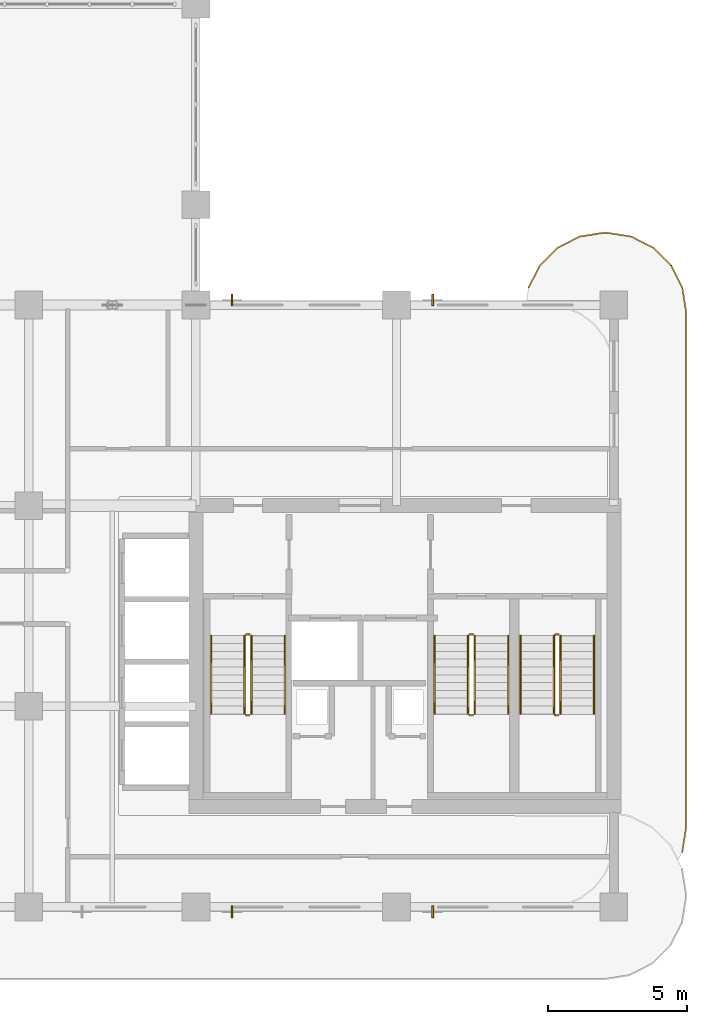
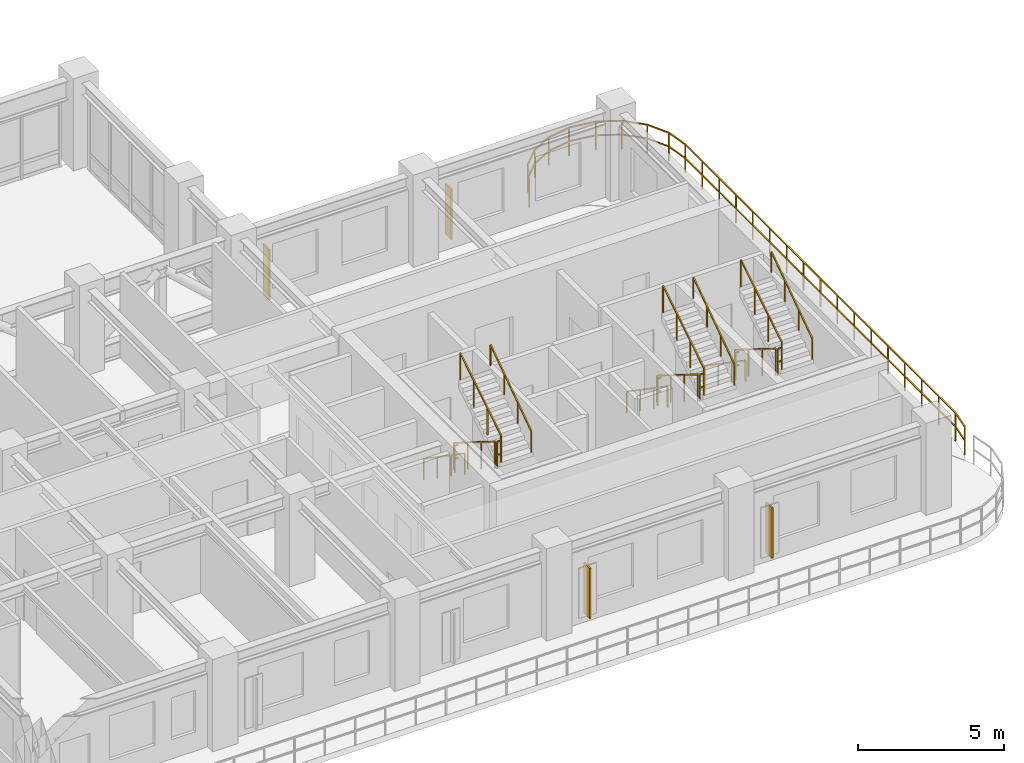
# One storey, part 16 of 17: 19 railings, 4 shading devices.
"""IFC4 building model written with IfcOpenShell, lengths in metres."""

from ifc_helpers import new_model, si_unit, derived_unit, direction, frame, origin, origin_2d, place, context, subcontext, project, spatial, rectangle, extrude, source, transform, mapped, material, layer, layer_set, type_object, type_shapes, element, save


model = new_model("IFC4")

# Units and contexts
model_context = context("Model", 3, precision=1e-05, world=origin(), true_north=direction((0.0, 1.0)))
body_context = subcontext(model_context, "Body", "Model", "MODEL_VIEW")
ifc_project = project(units=[si_unit("LENGTHUNIT", "METRE"), si_unit("AREAUNIT", "SQUARE_METRE"), si_unit("VOLUMEUNIT", "CUBIC_METRE"), si_unit("PLANEANGLEUNIT", "RADIAN"), si_unit("MASSUNIT", "GRAM", prefix="KILO"), si_unit("THERMODYNAMICTEMPERATUREUNIT", "KELVIN"), si_unit("POWERUNIT", "WATT"), derived_unit("THERMALTRANSMITTANCEUNIT", [(si_unit("POWERUNIT", "WATT"), 1), (si_unit("AREAUNIT", "SQUARE_METRE"), -1), (si_unit("THERMODYNAMICTEMPERATUREUNIT", "KELVIN"), -1)])], contexts=[model_context])

# Site, building, storey
site_placement = place(None, origin())
site = spatial("IfcSite", under=ifc_project, at=site_placement, CompositionType="ELEMENT")
building_placement = place(site_placement, origin())
building = spatial("IfcBuilding", under=site, at=building_placement, Name="Zahravan Archway Hotel and Residences", CompositionType="ELEMENT")
storey_placement = place(building_placement, frame((0.0, 0.0, 192.64990234375)))
storey = spatial("IfcBuildingStorey", under=building, at=storey_placement, Name="L48", CompositionType="ELEMENT", Elevation=192.64990234375)

# Railings
ifc_material_1 = material(Name="Bronze & Laminated Glass Balustrade", Category="glass")
railing_type_1 = type_object("IfcRailingType", Name="RL-BAL-1200", PredefinedType="BALUSTRADE", material=ifc_material_1)
railing_1_placement = place(storey_placement, frame((46.739501953125, 22.230712890625, 0.0)))
element("IfcRailing", 1, at=railing_1_placement, inside=storey, type_object=railing_type_1, Name="L48 Balustrade RL-SLB-BAL-L48-EA-1", PredefinedType="BALUSTRADE", context=body_context, shape_type="SweptSolid", body=[
    extrude(rectangle(XDim=0.048095703125, YDim=0.048095703125, at=origin_2d()), frame((0.0, 0.0, 1.17578125), z_axis=(0.453991409995, 0.891006060389, 0.0), x_axis=(-0.891006060389, 0.453991409995, 0.0)), (0.0, 0.0, 1.0), 0.8916015625),
    extrude(rectangle(XDim=0.048095703125, YDim=0.048095703125, at=origin_2d()), frame((0.0, 0.0, 0.60009765625), z_axis=(0.453991409995, 0.891006060389, 0.0), x_axis=(-0.891006060389, 0.453991409995, 0.0)), (0.0, 0.0, 1.0), 0.8916015625),
    extrude(rectangle(XDim=0.048095703125, YDim=0.048095703125, at=origin_2d()), frame((0.40478515625, 0.79443359375, 1.17578125), z_axis=(0.707106781187, 0.707106781187, 0.0), x_axis=(-0.707106781187, 0.707106781187, 0.0)), (0.0, 0.0, 1.0), 0.891845703125),
    extrude(rectangle(XDim=0.048095703125, YDim=0.048095703125, at=origin_2d()), frame((0.40478515625, 0.79443359375, 0.60009765625), z_axis=(0.707106781187, 0.707106781187, 0.0), x_axis=(-0.707106781187, 0.707106781187, 0.0)), (0.0, 0.0, 1.0), 0.891845703125),
    extrude(rectangle(XDim=0.048095703125, YDim=0.048095703125, at=origin_2d()), frame((1.035400390625, 1.425048828125, 1.17578125), z_axis=(0.891006060389, 0.453991409995, 0.0), x_axis=(-0.453991409995, 0.891006060389, 0.0)), (0.0, 0.0, 1.0), 0.8916015625),
    extrude(rectangle(XDim=0.048095703125, YDim=0.048095703125, at=origin_2d()), frame((1.035400390625, 1.425048828125, 0.60009765625), z_axis=(0.891006060389, 0.453991409995, 0.0), x_axis=(-0.453991409995, 0.891006060389, 0.0)), (0.0, 0.0, 1.0), 0.8916015625),
    extrude(rectangle(XDim=0.048095703125, YDim=0.048095703125, at=origin_2d()), frame((1.829833984375, 1.829833984375, 1.17578125), z_axis=(0.987700720307, 0.156356282588, 0.0), x_axis=(-0.156356282588, 0.987700720307, 0.0)), (0.0, 0.0, 1.0), 0.8916015625),
    extrude(rectangle(XDim=0.048095703125, YDim=0.048095703125, at=origin_2d()), frame((1.829833984375, 1.829833984375, 0.60009765625), z_axis=(0.987700720307, 0.156356282588, 0.0), x_axis=(-0.156356282588, 0.987700720307, 0.0)), (0.0, 0.0, 1.0), 0.8916015625),
    extrude(rectangle(XDim=0.048095703125, YDim=0.048095703125, at=origin_2d()), frame((2.71044921875, 1.96923828125, 1.17578125), z_axis=(1.0, 0.0, 0.0), x_axis=(0.0, 1.0, 0.0)), (0.0, 0.0, 1.0), 0.10009765625),
    extrude(rectangle(XDim=0.048095703125, YDim=0.048095703125, at=origin_2d()), frame((2.71044921875, 1.96923828125, 0.60009765625), z_axis=(1.0, 0.0, 0.0), x_axis=(0.0, 1.0, 0.0)), (0.0, 0.0, 1.0), 0.10009765625),
    extrude(rectangle(XDim=0.048095703125, YDim=0.048095703125, at=origin_2d()), frame((2.810546875, 1.96923828125, 1.17578125), z_axis=(0.987700720307, -0.156356282588, 0.0), x_axis=(0.156356282588, 0.987700720307, 0.0)), (0.0, 0.0, 1.0), 0.8916015625),
    extrude(rectangle(XDim=0.048095703125, YDim=0.048095703125, at=origin_2d()), frame((2.810546875, 1.96923828125, 0.60009765625), z_axis=(0.987700720307, -0.156356282588, 0.0), x_axis=(0.156356282588, 0.987700720307, 0.0)), (0.0, 0.0, 1.0), 0.8916015625),
    extrude(rectangle(XDim=0.048095703125, YDim=0.048095703125, at=origin_2d()), frame((3.691162109375, 1.829833984375, 1.17578125), z_axis=(0.891006060389, -0.453991409995, 0.0), x_axis=(0.453991409995, 0.891006060389, 0.0)), (0.0, 0.0, 1.0), 0.8916015625),
    extrude(rectangle(XDim=0.048095703125, YDim=0.048095703125, at=origin_2d()), frame((3.691162109375, 1.829833984375, 0.60009765625), z_axis=(0.891006060389, -0.453991409995, 0.0), x_axis=(0.453991409995, 0.891006060389, 0.0)), (0.0, 0.0, 1.0), 0.8916015625),
    extrude(rectangle(XDim=0.048095703125, YDim=0.048095703125, at=origin_2d()), frame((4.485595703125, 1.425048828125, 1.17578125), z_axis=(0.707106781187, -0.707106781187, 0.0), x_axis=(0.707106781187, 0.707106781187, 0.0)), (0.0, 0.0, 1.0), 0.891845703125),
    extrude(rectangle(XDim=0.048095703125, YDim=0.048095703125, at=origin_2d()), frame((4.485595703125, 1.425048828125, 0.60009765625), z_axis=(0.707106781187, -0.707106781187, 0.0), x_axis=(0.707106781187, 0.707106781187, 0.0)), (0.0, 0.0, 1.0), 0.891845703125),
    extrude(rectangle(XDim=0.048095703125, YDim=0.048095703125, at=origin_2d()), frame((5.1162109375, 0.79443359375, 1.17578125), z_axis=(0.453991409995, -0.891006060389, 0.0), x_axis=(0.891006060389, 0.453991409995, 0.0)), (0.0, 0.0, 1.0), 0.8916015625),
    extrude(rectangle(XDim=0.048095703125, YDim=0.048095703125, at=origin_2d()), frame((5.1162109375, 0.79443359375, 0.60009765625), z_axis=(0.453991409995, -0.891006060389, 0.0), x_axis=(0.891006060389, 0.453991409995, 0.0)), (0.0, 0.0, 1.0), 0.8916015625),
    extrude(rectangle(XDim=0.048095703125, YDim=0.048095703125, at=origin_2d()), frame((5.52099609375, 0.0, 1.17578125), z_axis=(0.156356282588, -0.987700720307, 0.0), x_axis=(0.987700720307, 0.156356282588, 0.0)), (0.0, 0.0, 1.0), 0.8916015625),
    extrude(rectangle(XDim=0.048095703125, YDim=0.048095703125, at=origin_2d()), frame((5.52099609375, 0.0, 0.60009765625), z_axis=(0.156356282588, -0.987700720307, 0.0), x_axis=(0.987700720307, 0.156356282588, 0.0)), (0.0, 0.0, 1.0), 0.8916015625),
    extrude(rectangle(XDim=0.048095703125, YDim=0.048095703125, at=origin_2d()), frame((5.660400390625, -0.880615234375, 1.17578125), z_axis=(0.0, -1.0, 0.0), x_axis=(1.0, 0.0, 0.0)), (0.0, 0.0, 1.0), 18.5),
    extrude(rectangle(XDim=0.048095703125, YDim=0.048095703125, at=origin_2d()), frame((5.660400390625, -0.880615234375, 0.60009765625), z_axis=(0.0, -1.0, 0.0), x_axis=(1.0, 0.0, 0.0)), (0.0, 0.0, 1.0), 18.5),
    extrude(rectangle(XDim=0.048095703125, YDim=0.048095703125, at=origin_2d()), frame((5.660400390625, -19.380615234375, 1.17578125), z_axis=(-0.156314005608, -0.987707411965, 0.0), x_axis=(0.987707411965, -0.156314005608, 0.0)), (0.0, 0.0, 1.0), 0.891845703125),
    extrude(rectangle(XDim=0.048095703125, YDim=0.048095703125, at=origin_2d()), frame((5.660400390625, -19.380615234375, 0.60009765625), z_axis=(-0.156314005608, -0.987707411965, 0.0), x_axis=(0.987707411965, -0.156314005608, 0.0)), (0.0, 0.0, 1.0), 0.891845703125),
    extrude(rectangle(XDim=0.0419921875, YDim=0.0419921875, at=origin_2d()), origin(), (0.0, 0.0, 1.0), 1.15185546875),
    extrude(rectangle(XDim=0.0419921875, YDim=0.0419921875, at=origin_2d()), frame((0.40478515625, 0.79443359375, 0.0)), (0.0, 0.0, 1.0), 1.15185546875),
    extrude(rectangle(XDim=0.0419921875, YDim=0.0419921875, at=origin_2d()), frame((1.035400390625, 1.425048828125, 0.0)), (0.0, 0.0, 1.0), 1.15185546875),
    extrude(rectangle(XDim=0.0419921875, YDim=0.0419921875, at=origin_2d()), frame((1.829833984375, 1.829833984375, 0.0)), (0.0, 0.0, 1.0), 1.15185546875),
    extrude(rectangle(XDim=0.0419921875, YDim=0.0419921875, at=origin_2d()), frame((2.71044921875, 1.96923828125, 0.0)), (0.0, 0.0, 1.0), 1.15185546875),
    extrude(rectangle(XDim=0.0419921875, YDim=0.0419921875, at=origin_2d()), frame((3.691162109375, 1.829833984375, 0.0)), (0.0, 0.0, 1.0), 1.15185546875),
    extrude(rectangle(XDim=0.0419921875, YDim=0.0419921875, at=origin_2d()), frame((4.485595703125, 1.425048828125, 0.0)), (0.0, 0.0, 1.0), 1.15185546875),
    extrude(rectangle(XDim=0.0419921875, YDim=0.0419921875, at=origin_2d()), frame((5.1162109375, 0.79443359375, 0.0)), (0.0, 0.0, 1.0), 1.15185546875),
    extrude(rectangle(XDim=0.0419921875, YDim=0.0419921875, at=origin_2d()), frame((5.52099609375, 0.0, 0.0)), (0.0, 0.0, 1.0), 1.15185546875),
    extrude(rectangle(XDim=0.0419921875, YDim=0.0419921875, at=origin_2d()), frame((5.660400390625, -0.880615234375, 0.0)), (0.0, 0.0, 1.0), 1.15185546875),
    extrude(rectangle(XDim=0.0419921875, YDim=0.0419921875, at=origin_2d()), frame((5.660400390625, -2.036865234375, 0.0)), (0.0, 0.0, 1.0), 1.15185546875),
    extrude(rectangle(XDim=0.0419921875, YDim=0.0419921875, at=origin_2d()), frame((5.660400390625, -3.193115234375, 0.0)), (0.0, 0.0, 1.0), 1.15185546875),
    extrude(rectangle(XDim=0.0419921875, YDim=0.0419921875, at=origin_2d()), frame((5.660400390625, -4.349365234375, 0.0)), (0.0, 0.0, 1.0), 1.15185546875),
    extrude(rectangle(XDim=0.0419921875, YDim=0.0419921875, at=origin_2d()), frame((5.660400390625, -5.505615234375, 0.0)), (0.0, 0.0, 1.0), 1.15185546875),
    extrude(rectangle(XDim=0.0419921875, YDim=0.0419921875, at=origin_2d()), frame((5.660400390625, -6.661865234375, 0.0)), (0.0, 0.0, 1.0), 1.15185546875),
    extrude(rectangle(XDim=0.0419921875, YDim=0.0419921875, at=origin_2d()), frame((5.660400390625, -7.818115234375, 0.0)), (0.0, 0.0, 1.0), 1.15185546875),
    extrude(rectangle(XDim=0.0419921875, YDim=0.0419921875, at=origin_2d()), frame((5.660400390625, -8.974365234375, 0.0)), (0.0, 0.0, 1.0), 1.15185546875),
    extrude(rectangle(XDim=0.0419921875, YDim=0.0419921875, at=origin_2d()), frame((5.660400390625, -10.130615234375, 0.0)), (0.0, 0.0, 1.0), 1.15185546875),
    extrude(rectangle(XDim=0.0419921875, YDim=0.0419921875, at=origin_2d()), frame((5.660400390625, -11.286865234375, 0.0)), (0.0, 0.0, 1.0), 1.15185546875),
    extrude(rectangle(XDim=0.0419921875, YDim=0.0419921875, at=origin_2d()), frame((5.660400390625, -12.443115234375, 0.0)), (0.0, 0.0, 1.0), 1.15185546875),
    extrude(rectangle(XDim=0.0419921875, YDim=0.0419921875, at=origin_2d()), frame((5.660400390625, -13.599365234375, 0.0)), (0.0, 0.0, 1.0), 1.15185546875),
    extrude(rectangle(XDim=0.0419921875, YDim=0.0419921875, at=origin_2d()), frame((5.660400390625, -14.755615234375, 0.0)), (0.0, 0.0, 1.0), 1.15185546875),
    extrude(rectangle(XDim=0.0419921875, YDim=0.0419921875, at=origin_2d()), frame((5.660400390625, -15.911865234375, 0.0)), (0.0, 0.0, 1.0), 1.15185546875),
    extrude(rectangle(XDim=0.0419921875, YDim=0.0419921875, at=origin_2d()), frame((5.660400390625, -17.068115234375, 0.0)), (0.0, 0.0, 1.0), 1.15185546875),
    extrude(rectangle(XDim=0.0419921875, YDim=0.0419921875, at=origin_2d()), frame((5.660400390625, -18.224365234375, 0.0)), (0.0, 0.0, 1.0), 1.15185546875),
    extrude(rectangle(XDim=0.0419921875, YDim=0.0419921875, at=origin_2d()), frame((5.660400390625, -19.380615234375, 0.0)), (0.0, 0.0, 1.0), 1.15185546875),
    extrude(rectangle(XDim=0.0419921875, YDim=0.0419921875, at=origin_2d()), frame((5.52099609375, -20.261474609375, 0.0)), (0.0, 0.0, 1.0), 1.15185546875),
])
ifc_material_2 = material(Name="Painted Tubular Steel", Category="steel")
railing_type_2 = type_object("IfcRailingType", Name="RL-STG-1150", PredefinedType="GUARDRAIL", material=ifc_material_2)
railing_2_placement = place(storey_placement, frame((36.550048828125, 9.72998046875, 0.175048828125)))
element("IfcRailing", 2, at=railing_2_placement, inside=storey, type_object=railing_type_2, Name="L48 ST-A1 stair guard 1", PredefinedType="GUARDRAIL", context=body_context, shape_type="SweptSolid", body=[
    extrude(rectangle(XDim=0.048095703125, YDim=0.048095703125, at=origin_2d()), frame((0.0, 0.0, 1.1259765625), z_axis=(0.0, -0.848002457836, 0.529992293815), x_axis=(1.0, 0.0, 0.0)), (0.0, 0.0, 1.0), 3.302001953125),
    extrude(rectangle(XDim=0.0419921875, YDim=0.0419921875, at=origin_2d()), origin(), (0.0, 0.0, 1.0), 1.101806640625),
    extrude(rectangle(XDim=0.0419921875, YDim=0.0419921875, at=origin_2d()), frame((0.0, -0.933349609375, 0.583251953125)), (0.0, 0.0, 1.0), 1.101806640625),
    extrude(rectangle(XDim=0.0419921875, YDim=0.0419921875, at=origin_2d()), frame((0.0, -1.86669921875, 1.166748046875)), (0.0, 0.0, 1.0), 1.101806640625),
    extrude(rectangle(XDim=0.0419921875, YDim=0.0419921875, at=origin_2d()), frame((0.0, -2.800048828125, 1.75)), (0.0, 0.0, 1.0), 1.101806640625),
])
railing_3_placement = place(storey_placement, frame((36.60009765625, 6.8798828125, 1.925048828125)))
element("IfcRailing", 3, at=railing_3_placement, inside=storey, type_object=railing_type_2, Name="L48 ST-A1 stair guard 2", PredefinedType="GUARDRAIL", context=body_context, shape_type="SweptSolid", body=[
    extrude(rectangle(XDim=0.048095703125, YDim=0.048095703125, at=origin_2d()), frame((0.0, 0.0, 1.1259765625), z_axis=(1.0, 0.0, 0.0), x_axis=(0.0, 1.0, 0.0)), (0.0, 0.0, 1.0), 0.139892578125),
    extrude(rectangle(XDim=0.048095703125, YDim=0.048095703125, at=origin_2d()), frame((0.0, 0.0, 0.574951171875), z_axis=(1.0, 0.0, 0.0), x_axis=(0.0, 1.0, 0.0)), (0.0, 0.0, 1.0), 0.139892578125),
    extrude(rectangle(XDim=0.0419921875, YDim=0.0419921875, at=origin_2d()), origin(), (0.0, 0.0, 1.0), 1.101806640625),
])
railing_4_placement = place(storey_placement, frame((36.7900390625, 6.929931640625, 2.10009765625)))
element("IfcRailing", 4, at=railing_4_placement, inside=storey, type_object=railing_type_2, Name="L48 ST-A1 stair guard 3", PredefinedType="GUARDRAIL", context=body_context, shape_type="SweptSolid", body=[
    extrude(rectangle(XDim=0.048095703125, YDim=0.048095703125, at=origin_2d()), frame((0.0, 0.0, 1.1259765625), z_axis=(0.0, 0.848002457836, 0.529992293815), x_axis=(-1.0, 0.0, 0.0)), (0.0, 0.0, 1.0), 3.302001953125),
    extrude(rectangle(XDim=0.0419921875, YDim=0.0419921875, at=origin_2d()), origin(), (0.0, 0.0, 1.0), 1.101806640625),
    extrude(rectangle(XDim=0.0419921875, YDim=0.0419921875, at=origin_2d()), frame((0.0, 0.933349609375, 0.583251953125)), (0.0, 0.0, 1.0), 1.101806640625),
    extrude(rectangle(XDim=0.0419921875, YDim=0.0419921875, at=origin_2d()), frame((0.0, 1.86669921875, 1.166748046875)), (0.0, 0.0, 1.0), 1.101806640625),
    extrude(rectangle(XDim=0.0419921875, YDim=0.0419921875, at=origin_2d()), frame((0.0, 2.800048828125, 1.75)), (0.0, 0.0, 1.0), 1.101806640625),
])
railing_5_placement = place(storey_placement, frame((36.60009765625, 9.780029296875, 0.0)))
element("IfcRailing", 5, at=railing_5_placement, inside=storey, type_object=railing_type_2, Name="L48 ST-A1 stair guard 4", PredefinedType="GUARDRAIL", context=body_context, shape_type="SweptSolid", body=[
    extrude(rectangle(XDim=0.048095703125, YDim=0.048095703125, at=origin_2d()), frame((0.0, 0.0, 1.1259765625), z_axis=(1.0, 0.0, 0.0), x_axis=(0.0, 1.0, 0.0)), (0.0, 0.0, 1.0), 0.139892578125),
    extrude(rectangle(XDim=0.048095703125, YDim=0.048095703125, at=origin_2d()), frame((0.0, 0.0, 0.574951171875), z_axis=(1.0, 0.0, 0.0), x_axis=(0.0, 1.0, 0.0)), (0.0, 0.0, 1.0), 0.139892578125),
    extrude(rectangle(XDim=0.0419921875, YDim=0.0419921875, at=origin_2d()), origin(), (0.0, 0.0, 1.0), 1.101806640625),
])
railing_6_placement = place(storey_placement, frame((44.570068359375, 9.72998046875, 0.175048828125)))
element("IfcRailing", 6, at=railing_6_placement, inside=storey, type_object=railing_type_2, Name="L48 ST-A2 stair guard 1", PredefinedType="GUARDRAIL", context=body_context, shape_type="SweptSolid", body=[
    extrude(rectangle(XDim=0.048095703125, YDim=0.048095703125, at=origin_2d()), frame((0.0, 0.0, 1.1259765625), z_axis=(0.0, -0.848002457836, 0.529992293815), x_axis=(1.0, 0.0, 0.0)), (0.0, 0.0, 1.0), 3.302001953125),
    extrude(rectangle(XDim=0.0419921875, YDim=0.0419921875, at=origin_2d()), origin(), (0.0, 0.0, 1.0), 1.101806640625),
    extrude(rectangle(XDim=0.0419921875, YDim=0.0419921875, at=origin_2d()), frame((0.0, -0.933349609375, 0.583251953125)), (0.0, 0.0, 1.0), 1.101806640625),
    extrude(rectangle(XDim=0.0419921875, YDim=0.0419921875, at=origin_2d()), frame((0.0, -1.86669921875, 1.166748046875)), (0.0, 0.0, 1.0), 1.101806640625),
    extrude(rectangle(XDim=0.0419921875, YDim=0.0419921875, at=origin_2d()), frame((0.0, -2.800048828125, 1.75)), (0.0, 0.0, 1.0), 1.101806640625),
])
railing_7_placement = place(storey_placement, frame((44.6201171875, 6.8798828125, 1.925048828125)))
element("IfcRailing", 7, at=railing_7_placement, inside=storey, type_object=railing_type_2, Name="L48 ST-A2 stair guard 2", PredefinedType="GUARDRAIL", context=body_context, shape_type="SweptSolid", body=[
    extrude(rectangle(XDim=0.048095703125, YDim=0.048095703125, at=origin_2d()), frame((0.0, 0.0, 1.1259765625), z_axis=(1.0, 0.0, 0.0), x_axis=(0.0, 1.0, 0.0)), (0.0, 0.0, 1.0), 0.139892578125),
    extrude(rectangle(XDim=0.048095703125, YDim=0.048095703125, at=origin_2d()), frame((0.0, 0.0, 0.574951171875), z_axis=(1.0, 0.0, 0.0), x_axis=(0.0, 1.0, 0.0)), (0.0, 0.0, 1.0), 0.139892578125),
    extrude(rectangle(XDim=0.0419921875, YDim=0.0419921875, at=origin_2d()), origin(), (0.0, 0.0, 1.0), 1.101806640625),
])
railing_8_placement = place(storey_placement, frame((44.81005859375, 6.929931640625, 2.10009765625)))
element("IfcRailing", 8, at=railing_8_placement, inside=storey, type_object=railing_type_2, Name="L48 ST-A2 stair guard 3", PredefinedType="GUARDRAIL", context=body_context, shape_type="SweptSolid", body=[
    extrude(rectangle(XDim=0.048095703125, YDim=0.048095703125, at=origin_2d()), frame((0.0, 0.0, 1.1259765625), z_axis=(0.0, 0.848002457836, 0.529992293815), x_axis=(-1.0, 0.0, 0.0)), (0.0, 0.0, 1.0), 3.302001953125),
    extrude(rectangle(XDim=0.0419921875, YDim=0.0419921875, at=origin_2d()), origin(), (0.0, 0.0, 1.0), 1.101806640625),
    extrude(rectangle(XDim=0.0419921875, YDim=0.0419921875, at=origin_2d()), frame((0.0, 0.933349609375, 0.583251953125)), (0.0, 0.0, 1.0), 1.101806640625),
    extrude(rectangle(XDim=0.0419921875, YDim=0.0419921875, at=origin_2d()), frame((0.0, 1.86669921875, 1.166748046875)), (0.0, 0.0, 1.0), 1.101806640625),
    extrude(rectangle(XDim=0.0419921875, YDim=0.0419921875, at=origin_2d()), frame((0.0, 2.800048828125, 1.75)), (0.0, 0.0, 1.0), 1.101806640625),
])
railing_9_placement = place(storey_placement, frame((44.6201171875, 9.780029296875, 0.0)))
element("IfcRailing", 9, at=railing_9_placement, inside=storey, type_object=railing_type_2, Name="L48 ST-A2 stair guard 4", PredefinedType="GUARDRAIL", context=body_context, shape_type="SweptSolid", body=[
    extrude(rectangle(XDim=0.048095703125, YDim=0.048095703125, at=origin_2d()), frame((0.0, 0.0, 1.1259765625), z_axis=(1.0, 0.0, 0.0), x_axis=(0.0, 1.0, 0.0)), (0.0, 0.0, 1.0), 0.139892578125),
    extrude(rectangle(XDim=0.048095703125, YDim=0.048095703125, at=origin_2d()), frame((0.0, 0.0, 0.574951171875), z_axis=(1.0, 0.0, 0.0), x_axis=(0.0, 1.0, 0.0)), (0.0, 0.0, 1.0), 0.139892578125),
    extrude(rectangle(XDim=0.0419921875, YDim=0.0419921875, at=origin_2d()), origin(), (0.0, 0.0, 1.0), 1.101806640625),
])
railing_10_placement = place(storey_placement, frame((47.64990234375, 9.72998046875, 0.175048828125)))
element("IfcRailing", 10, at=railing_10_placement, inside=storey, type_object=railing_type_2, Name="L48 ST-A3 stair guard 1", PredefinedType="GUARDRAIL", context=body_context, shape_type="SweptSolid", body=[
    extrude(rectangle(XDim=0.048095703125, YDim=0.048095703125, at=origin_2d()), frame((0.0, 0.0, 1.1259765625), z_axis=(0.0, -0.848002457836, 0.529992293815), x_axis=(1.0, 0.0, 0.0)), (0.0, 0.0, 1.0), 3.302001953125),
    extrude(rectangle(XDim=0.0419921875, YDim=0.0419921875, at=origin_2d()), origin(), (0.0, 0.0, 1.0), 1.101806640625),
    extrude(rectangle(XDim=0.0419921875, YDim=0.0419921875, at=origin_2d()), frame((0.0, -0.933349609375, 0.583251953125)), (0.0, 0.0, 1.0), 1.101806640625),
    extrude(rectangle(XDim=0.0419921875, YDim=0.0419921875, at=origin_2d()), frame((0.0, -1.86669921875, 1.166748046875)), (0.0, 0.0, 1.0), 1.101806640625),
    extrude(rectangle(XDim=0.0419921875, YDim=0.0419921875, at=origin_2d()), frame((0.0, -2.800048828125, 1.75)), (0.0, 0.0, 1.0), 1.101806640625),
])
railing_11_placement = place(storey_placement, frame((47.699951171875, 6.8798828125, 1.925048828125)))
element("IfcRailing", 11, at=railing_11_placement, inside=storey, type_object=railing_type_2, Name="L48 ST-A3 stair guard 2", PredefinedType="GUARDRAIL", context=body_context, shape_type="SweptSolid", body=[
    extrude(rectangle(XDim=0.048095703125, YDim=0.048095703125, at=origin_2d()), frame((0.0, 0.0, 1.1259765625), z_axis=(1.0, 0.0, 0.0), x_axis=(0.0, 1.0, 0.0)), (0.0, 0.0, 1.0), 0.14013671875),
    extrude(rectangle(XDim=0.048095703125, YDim=0.048095703125, at=origin_2d()), frame((0.0, 0.0, 0.574951171875), z_axis=(1.0, 0.0, 0.0), x_axis=(0.0, 1.0, 0.0)), (0.0, 0.0, 1.0), 0.14013671875),
    extrude(rectangle(XDim=0.0419921875, YDim=0.0419921875, at=origin_2d()), origin(), (0.0, 0.0, 1.0), 1.101806640625),
])
railing_12_placement = place(storey_placement, frame((47.889892578125, 6.929931640625, 2.10009765625)))
element("IfcRailing", 12, at=railing_12_placement, inside=storey, type_object=railing_type_2, Name="L48 ST-A3 stair guard 3", PredefinedType="GUARDRAIL", context=body_context, shape_type="SweptSolid", body=[
    extrude(rectangle(XDim=0.048095703125, YDim=0.048095703125, at=origin_2d()), frame((0.0, 0.0, 1.1259765625), z_axis=(0.0, 0.848002457836, 0.529992293815), x_axis=(-1.0, 0.0, 0.0)), (0.0, 0.0, 1.0), 3.302001953125),
    extrude(rectangle(XDim=0.0419921875, YDim=0.0419921875, at=origin_2d()), origin(), (0.0, 0.0, 1.0), 1.101806640625),
    extrude(rectangle(XDim=0.0419921875, YDim=0.0419921875, at=origin_2d()), frame((0.0, 0.933349609375, 0.583251953125)), (0.0, 0.0, 1.0), 1.101806640625),
    extrude(rectangle(XDim=0.0419921875, YDim=0.0419921875, at=origin_2d()), frame((0.0, 1.86669921875, 1.166748046875)), (0.0, 0.0, 1.0), 1.101806640625),
    extrude(rectangle(XDim=0.0419921875, YDim=0.0419921875, at=origin_2d()), frame((0.0, 2.800048828125, 1.75)), (0.0, 0.0, 1.0), 1.101806640625),
])
railing_13_placement = place(storey_placement, frame((47.699951171875, 9.780029296875, 0.0)))
element("IfcRailing", 13, at=railing_13_placement, inside=storey, type_object=railing_type_2, Name="L48 ST-A3 stair guard 4", PredefinedType="GUARDRAIL", context=body_context, shape_type="SweptSolid", body=[
    extrude(rectangle(XDim=0.048095703125, YDim=0.048095703125, at=origin_2d()), frame((0.0, 0.0, 1.1259765625), z_axis=(1.0, 0.0, 0.0), x_axis=(0.0, 1.0, 0.0)), (0.0, 0.0, 1.0), 0.14013671875),
    extrude(rectangle(XDim=0.048095703125, YDim=0.048095703125, at=origin_2d()), frame((0.0, 0.0, 0.574951171875), z_axis=(1.0, 0.0, 0.0), x_axis=(0.0, 1.0, 0.0)), (0.0, 0.0, 1.0), 0.14013671875),
    extrude(rectangle(XDim=0.0419921875, YDim=0.0419921875, at=origin_2d()), origin(), (0.0, 0.0, 1.0), 1.101806640625),
])
ifc_material_3 = material(Name="Brushed Stainless Steel", Category="steel")
railing_type_3 = type_object("IfcRailingType", Name="RL-STH-900", PredefinedType="HANDRAIL", material=ifc_material_3)
railing_14_placement = place(storey_placement, frame((35.35009765625, 9.72998046875, 0.175048828125)))
element("IfcRailing", 14, at=railing_14_placement, inside=storey, type_object=railing_type_3, Name="L48 ST-A1 stair handrail 1", PredefinedType="HANDRAIL", context=body_context, shape_type="SweptSolid", body=[
    extrude(rectangle(XDim=0.048095703125, YDim=0.048095703125, at=origin_2d()), frame((0.0, 0.0, 0.8759765625), z_axis=(0.0, -0.824039827795, 0.566531872191), x_axis=(1.0, 0.0, 0.0)), (0.0, 0.0, 1.0), 3.39794921875),
    extrude(rectangle(XDim=0.0419921875, YDim=0.0419921875, at=origin_2d()), origin(), (0.0, 0.0, 1.0), 0.851806640625),
    extrude(rectangle(XDim=0.0419921875, YDim=0.0419921875, at=origin_2d()), frame((0.0, -0.933349609375, 0.6416015625)), (0.0, 0.0, 1.0), 0.851806640625),
    extrude(rectangle(XDim=0.0419921875, YDim=0.0419921875, at=origin_2d()), frame((0.0, -1.86669921875, 1.283447265625)), (0.0, 0.0, 1.0), 0.851806640625),
    extrude(rectangle(XDim=0.0419921875, YDim=0.0419921875, at=origin_2d()), frame((0.0, -2.800048828125, 1.925048828125)), (0.0, 0.0, 1.0), 0.851806640625),
])
railing_15_placement = place(storey_placement, frame((37.989990234375, 6.929931640625, 2.10009765625)))
element("IfcRailing", 15, at=railing_15_placement, inside=storey, type_object=railing_type_3, Name="L48 ST-A1 stair handrail 2", PredefinedType="HANDRAIL", context=body_context, shape_type="SweptSolid", body=[
    extrude(rectangle(XDim=0.048095703125, YDim=0.048095703125, at=origin_2d()), frame((0.0, 0.0, 0.8759765625), z_axis=(0.0, 0.824039827795, 0.566531872191), x_axis=(-1.0, 0.0, 0.0)), (0.0, 0.0, 1.0), 3.39794921875),
    extrude(rectangle(XDim=0.0419921875, YDim=0.0419921875, at=origin_2d()), origin(), (0.0, 0.0, 1.0), 0.851806640625),
    extrude(rectangle(XDim=0.0419921875, YDim=0.0419921875, at=origin_2d()), frame((0.0, 0.933349609375, 0.6416015625)), (0.0, 0.0, 1.0), 0.851806640625),
    extrude(rectangle(XDim=0.0419921875, YDim=0.0419921875, at=origin_2d()), frame((0.0, 1.86669921875, 1.283447265625)), (0.0, 0.0, 1.0), 0.851806640625),
    extrude(rectangle(XDim=0.0419921875, YDim=0.0419921875, at=origin_2d()), frame((0.0, 2.800048828125, 1.925048828125)), (0.0, 0.0, 1.0), 0.851806640625),
])
railing_16_placement = place(storey_placement, frame((43.3701171875, 9.72998046875, 0.175048828125)))
element("IfcRailing", 16, at=railing_16_placement, inside=storey, type_object=railing_type_3, Name="L48 ST-A2 stair handrail 1", PredefinedType="HANDRAIL", context=body_context, shape_type="SweptSolid", body=[
    extrude(rectangle(XDim=0.048095703125, YDim=0.048095703125, at=origin_2d()), frame((0.0, 0.0, 0.8759765625), z_axis=(0.0, -0.824039827795, 0.566531872191), x_axis=(1.0, 0.0, 0.0)), (0.0, 0.0, 1.0), 3.39794921875),
    extrude(rectangle(XDim=0.0419921875, YDim=0.0419921875, at=origin_2d()), origin(), (0.0, 0.0, 1.0), 0.851806640625),
    extrude(rectangle(XDim=0.0419921875, YDim=0.0419921875, at=origin_2d()), frame((0.0, -0.933349609375, 0.6416015625)), (0.0, 0.0, 1.0), 0.851806640625),
    extrude(rectangle(XDim=0.0419921875, YDim=0.0419921875, at=origin_2d()), frame((0.0, -1.86669921875, 1.283447265625)), (0.0, 0.0, 1.0), 0.851806640625),
    extrude(rectangle(XDim=0.0419921875, YDim=0.0419921875, at=origin_2d()), frame((0.0, -2.800048828125, 1.925048828125)), (0.0, 0.0, 1.0), 0.851806640625),
])
railing_17_placement = place(storey_placement, frame((46.010009765625, 6.929931640625, 2.10009765625)))
element("IfcRailing", 17, at=railing_17_placement, inside=storey, type_object=railing_type_3, Name="L48 ST-A2 stair handrail 2", PredefinedType="HANDRAIL", context=body_context, shape_type="SweptSolid", body=[
    extrude(rectangle(XDim=0.048095703125, YDim=0.048095703125, at=origin_2d()), frame((0.0, 0.0, 0.8759765625), z_axis=(0.0, 0.824039827795, 0.566531872191), x_axis=(-1.0, 0.0, 0.0)), (0.0, 0.0, 1.0), 3.39794921875),
    extrude(rectangle(XDim=0.0419921875, YDim=0.0419921875, at=origin_2d()), origin(), (0.0, 0.0, 1.0), 0.851806640625),
    extrude(rectangle(XDim=0.0419921875, YDim=0.0419921875, at=origin_2d()), frame((0.0, 0.933349609375, 0.6416015625)), (0.0, 0.0, 1.0), 0.851806640625),
    extrude(rectangle(XDim=0.0419921875, YDim=0.0419921875, at=origin_2d()), frame((0.0, 1.86669921875, 1.283447265625)), (0.0, 0.0, 1.0), 0.851806640625),
    extrude(rectangle(XDim=0.0419921875, YDim=0.0419921875, at=origin_2d()), frame((0.0, 2.800048828125, 1.925048828125)), (0.0, 0.0, 1.0), 0.851806640625),
])
railing_18_placement = place(storey_placement, frame((46.449951171875, 9.72998046875, 0.175048828125)))
element("IfcRailing", 18, at=railing_18_placement, inside=storey, type_object=railing_type_3, Name="L48 ST-A3 stair handrail 1", PredefinedType="HANDRAIL", context=body_context, shape_type="SweptSolid", body=[
    extrude(rectangle(XDim=0.048095703125, YDim=0.048095703125, at=origin_2d()), frame((0.0, 0.0, 0.8759765625), z_axis=(0.0, -0.824039827795, 0.566531872191), x_axis=(1.0, 0.0, 0.0)), (0.0, 0.0, 1.0), 3.39794921875),
    extrude(rectangle(XDim=0.0419921875, YDim=0.0419921875, at=origin_2d()), origin(), (0.0, 0.0, 1.0), 0.851806640625),
    extrude(rectangle(XDim=0.0419921875, YDim=0.0419921875, at=origin_2d()), frame((0.0, -0.933349609375, 0.6416015625)), (0.0, 0.0, 1.0), 0.851806640625),
    extrude(rectangle(XDim=0.0419921875, YDim=0.0419921875, at=origin_2d()), frame((0.0, -1.86669921875, 1.283447265625)), (0.0, 0.0, 1.0), 0.851806640625),
    extrude(rectangle(XDim=0.0419921875, YDim=0.0419921875, at=origin_2d()), frame((0.0, -2.800048828125, 1.925048828125)), (0.0, 0.0, 1.0), 0.851806640625),
])
railing_19_placement = place(storey_placement, frame((49.090087890625, 6.929931640625, 2.10009765625)))
element("IfcRailing", 19, at=railing_19_placement, inside=storey, type_object=railing_type_3, Name="L48 ST-A3 stair handrail 2", PredefinedType="HANDRAIL", context=body_context, shape_type="SweptSolid", body=[
    extrude(rectangle(XDim=0.048095703125, YDim=0.048095703125, at=origin_2d()), frame((0.0, 0.0, 0.8759765625), z_axis=(0.0, 0.824039827795, 0.566531872191), x_axis=(-1.0, 0.0, 0.0)), (0.0, 0.0, 1.0), 3.39794921875),
    extrude(rectangle(XDim=0.0419921875, YDim=0.0419921875, at=origin_2d()), origin(), (0.0, 0.0, 1.0), 0.851806640625),
    extrude(rectangle(XDim=0.0419921875, YDim=0.0419921875, at=origin_2d()), frame((0.0, 0.933349609375, 0.6416015625)), (0.0, 0.0, 1.0), 0.851806640625),
    extrude(rectangle(XDim=0.0419921875, YDim=0.0419921875, at=origin_2d()), frame((0.0, 1.86669921875, 1.283447265625)), (0.0, 0.0, 1.0), 0.851806640625),
    extrude(rectangle(XDim=0.0419921875, YDim=0.0419921875, at=origin_2d()), frame((0.0, 2.800048828125, 1.925048828125)), (0.0, 0.0, 1.0), 0.851806640625),
])

# Shading devices
ifc_material_4 = material(Name="Terracotta & Bronze Solar Brise-Soleil", Category="masonry")
ifc_layer = layer(ifc_material_4, 0.06005859375, Name="Terracotta & Bronze Solar Brise-Soleil", Category="masonry")
ifc_layer_set = layer_set([ifc_layer], Name="Terracotta & Bronze Solar Brise-Soleil")
shading_device_type = type_object("IfcShadingDeviceType", Name="SHD-MASH-FIN", PredefinedType="JALOUSIE", material=ifc_layer_set)
shared_shape = source(origin(), body_context, "Body", "SweptSolid", [
    extrude(rectangle(XDim=0.06005859375, YDim=0.419921875, at=origin_2d()), origin(), (0.0, 0.0, 1.0), 2.10009765625),
])
type_shapes(shading_device_type, [shared_shape])
for number, where, z_axis, x_axis, name in (
    (20, (36.10009765625, -0.177978515625, 0.25), (0.0, 0.0, 1.0), (1.0, 0.0, 0.0), "L48 Solar Mashrabiya Fin 03"),
    (21, (43.300048828125, -0.177978515625, 0.25), (0.0, 0.0, 1.0), (1.0, 0.0, 0.0), "L48 Solar Mashrabiya Fin 04"),
    (22, (36.10009765625, 21.778076171875, 0.25), (0.0, 0.0, 1.0), (1.0, 0.0, 0.0), "L48 Solar Mashrabiya Fin 05"),
    (23, (43.300048828125, 21.778076171875, 0.25), (0.0, 0.0, 1.0), (1.0, 0.0, 0.0), "L48 Solar Mashrabiya Fin 06"),
):
    element("IfcShadingDevice", number, at=place(storey_placement, frame(where, z_axis=z_axis, x_axis=x_axis)), inside=storey, type_object=shading_device_type, Name=name, PredefinedType="JALOUSIE", context=body_context, shape_type="MappedRepresentation", body=[
        mapped(shared_shape, transform((0.0, 0.0, 0.0), scale=1.0)),
    ])

save(model, "model.ifc")
